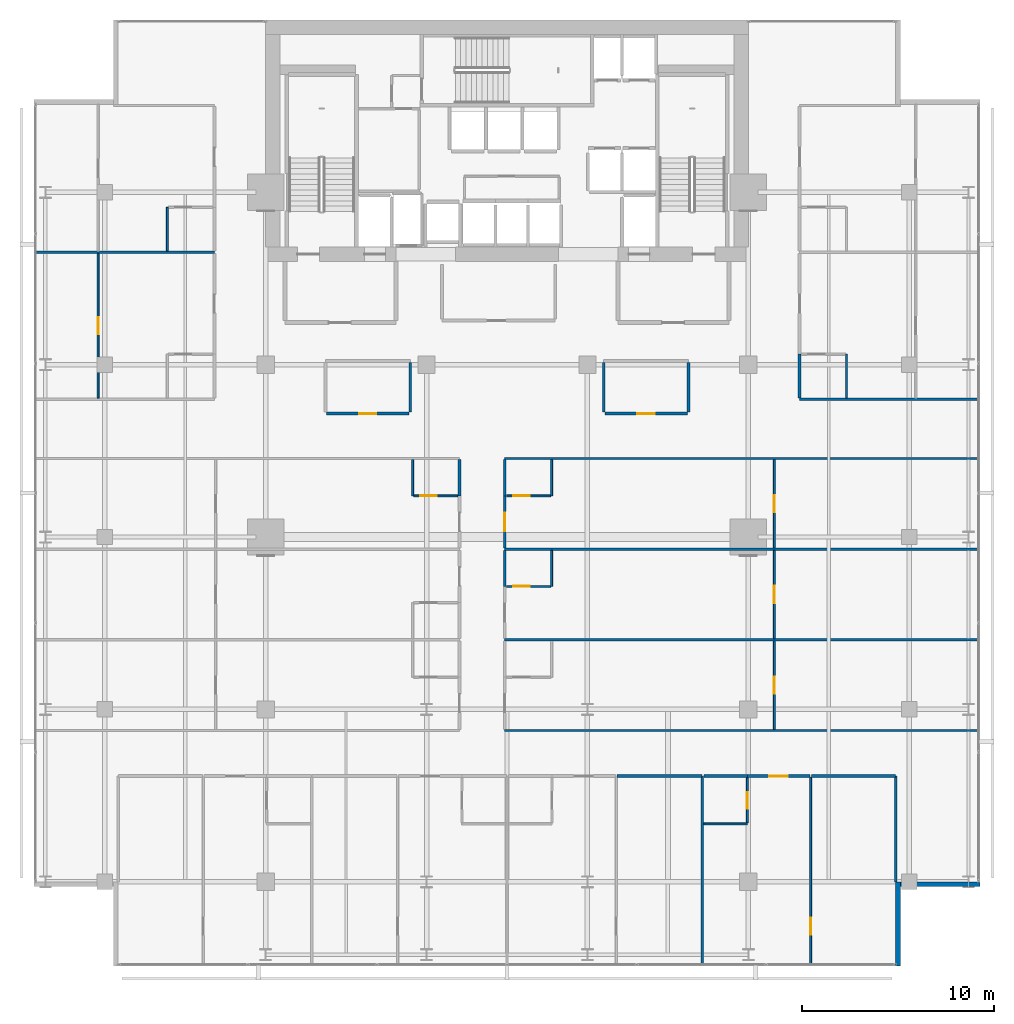
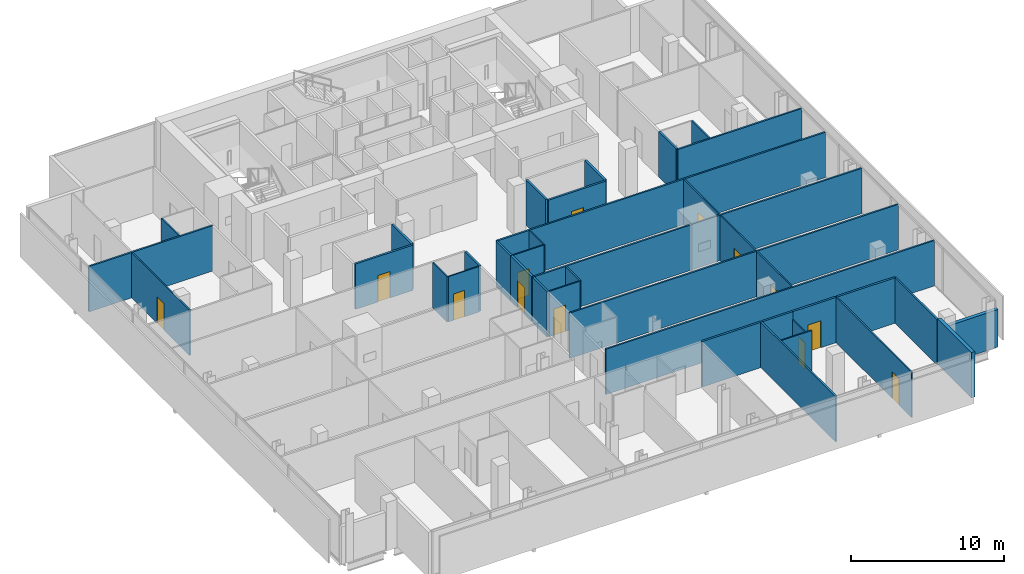
# One storey, part 28 of 33: 39 walls, 13 doors, 13 openings.
"""IFC4 building model written with IfcOpenShell, lengths in metres."""

from ifc_helpers import new_model, si_unit, direction, frame, frame_2d, origin, place, context, subcontext, project, spatial, rectangle, extrude, material, layer, layer_set, type_object, element, fill, save


model = new_model("IFC4")

# Units and contexts
model_context = context("Model", 3, precision=1e-05, world=origin(), true_north=direction((0.0, 1.0)))
body_context = subcontext(model_context, "Body", "Model", "MODEL_VIEW")
ifc_project = project(units=[si_unit("LENGTHUNIT", "METRE"), si_unit("AREAUNIT", "SQUARE_METRE"), si_unit("VOLUMEUNIT", "CUBIC_METRE"), si_unit("PLANEANGLEUNIT", "RADIAN"), si_unit("MASSUNIT", "GRAM", prefix="KILO")], contexts=[model_context])

# Site, building, storey
site_placement = place(None, origin())
site = spatial("IfcSite", under=ifc_project, at=site_placement, CompositionType="ELEMENT")
building_placement = place(site_placement, origin())
building = spatial("IfcBuilding", under=site, at=building_placement, Name="Maruvema Waterfront Hotel and Observation Tower", CompositionType="ELEMENT")
storey_placement = place(building_placement, frame((0.0, 0.0, 138.949951171875)))
storey = spatial("IfcBuildingStorey", under=building, at=storey_placement, Name="L33", CompositionType="ELEMENT", Elevation=138.949951171875)

# Wall
ifc_material_1 = material(Name="Twin-stud acoustic gypsum drywall", Category="gypsum")
ifc_layer_1 = layer(ifc_material_1, 0.14990234375, Name="Acoustic Corridor and Suite Demising Wall 150 mm")
ifc_layer_set_1 = layer_set([ifc_layer_1], Name="Twin-stud acoustic gypsum drywall")
wall_type_1 = type_object("IfcWallType", Name="Acoustic Corridor and Suite Demising Wall 150 mm", PredefinedType="PARTITIONING", material=ifc_layer_set_1)
wall_1_placement = place(storey_placement, frame((32.75, 33.530029296875, 0.0), z_axis=(0.0, 0.0, 1.0), x_axis=(0.0, 1.0, 0.0)))
element("IfcWall", 1, at=wall_1_placement, inside=storey, type_object=wall_type_1, Name="L33 L33-M1 East Wall 023", PredefinedType="PARTITIONING", context=body_context, shape_type="SweptSolid", body=[
    extrude(rectangle(XDim=2.590087890625, YDim=0.14990234375, at=frame_2d((1.294921875, 0.0))), origin(), (0.0, 0.0, 1.0), 3.610107421875),
])

# Wall, opening, door
wall_2_placement = place(storey_placement, frame((28.3798828125, 33.449951171875, 0.0), z_axis=(0.0, 0.0, 1.0), x_axis=(1.0, 0.0, 0.0)))
wall_2 = element("IfcWall", 2, at=wall_2_placement, inside=storey, type_object=wall_type_1, Name="L33 L33-M1 Front 1 024", PredefinedType="PARTITIONING", context=body_context, shape_type="SweptSolid", body=[
    extrude(rectangle(XDim=4.31005859375, YDim=0.14990234375, at=frame_2d((2.155029296875, 0.0))), origin(), (0.0, 0.0, 1.0), 3.610107421875),
])
opening_1_placement = place(wall_2_placement, frame((1.705078125, 0.0, 0.0)))
opening_1 = element("IfcOpeningElement", 3, at=opening_1_placement, cuts=wall_2, Name="Opening DR-090", PredefinedType="OPENING", context=body_context, shape_type="SweptSolid", body=[
    extrude(rectangle(XDim=0.89990234375, YDim=2.10009765625, at=frame_2d((0.449951171875, 1.050048828125))), frame((0.0, 0.0849609375, 0.0), z_axis=(0.0, -1.0, 0.0), x_axis=(1.0, 0.0, 0.0)), (0.0, 0.0, 1.0), 0.169921875),
])
ifc_material_2 = material(Name="Solid-core lacquered timber leaf", Category="wood")
door_type_1 = type_object("IfcDoorType", Name="Accessible Toilet and Room Door 900x2100 mm", OperationType="NOTDEFINED", PredefinedType="DOOR", material=ifc_material_2)
door_1_placement = place(opening_1_placement, frame((0.89990234375, 0.0, 0.0), z_axis=(0.0, 0.0, 1.0), x_axis=(-1.0, 0.0, 0.0)))
door_1 = element("IfcDoor", 4, at=door_1_placement, inside=storey, type_object=door_type_1, Name="L33 Club Meeting Room 1 Door", OperationType="SINGLE_SWING_RIGHT", OverallHeight=2.10009765625, OverallWidth=0.89990234375, PredefinedType="DOOR", context=body_context, shape_type="SweptSolid", body=[
    extrude(rectangle(XDim=0.89990234375, YDim=2.10009765625, at=frame_2d((0.449951171875, 1.050048828125))), frame((0.0, 0.02490234375, 0.0), z_axis=(0.0, -1.0, 0.0), x_axis=(1.0, 0.0, 0.0)), (0.0, 0.0, 1.0), 0.050048828125),
])
fill(opening_1, door_1)

# Walls
for number, where, z_axis, x_axis, name in (
    (5, (42.85009765625, 33.530029296875, 0.0), (0.0, 0.0, 1.0), (0.0, 1.0, 0.0), "L33 L33-M2 West Wall 026"),
    (6, (47.280029296875, 33.530029296875, 0.0), (0.0, 0.0, 1.0), (0.0, 1.0, 0.0), "L33 L33-M2 East Wall 027"),
):
    element("IfcWall", number, at=place(storey_placement, frame(where, z_axis=z_axis, x_axis=x_axis)), inside=storey, type_object=wall_type_1, Name=name, PredefinedType="PARTITIONING", context=body_context, shape_type="SweptSolid", body=[
        extrude(rectangle(XDim=2.590087890625, YDim=0.14990234375, at=frame_2d((1.294921875, 0.0))), origin(), (0.0, 0.0, 1.0), 3.610107421875),
    ])

# Wall, opening, door
wall_3_placement = place(storey_placement, frame((42.909912109375, 33.449951171875, 0.0), z_axis=(0.0, 0.0, 1.0), x_axis=(1.0, 0.0, 0.0)))
wall_3 = element("IfcWall", 7, at=wall_3_placement, inside=storey, type_object=wall_type_1, Name="L33 L33-M2 Front 1 028", PredefinedType="PARTITIONING", context=body_context, shape_type="SweptSolid", body=[
    extrude(rectangle(XDim=4.31005859375, YDim=0.14990234375, at=frame_2d((2.155029296875, 0.0))), origin(), (0.0, 0.0, 1.0), 3.610107421875),
])
opening_2_placement = place(wall_3_placement, frame((1.705078125, 0.0, 0.0)))
opening_2 = element("IfcOpeningElement", 8, at=opening_2_placement, cuts=wall_3, Name="Opening DR-090", PredefinedType="OPENING", context=body_context, shape_type="SweptSolid", body=[
    extrude(rectangle(XDim=0.89990234375, YDim=2.10009765625, at=frame_2d((0.449951171875, 1.050048828125))), frame((0.0, 0.0849609375, 0.0), z_axis=(0.0, -1.0, 0.0), x_axis=(1.0, 0.0, 0.0)), (0.0, 0.0, 1.0), 0.169921875),
])
door_2_placement = place(opening_2_placement, frame((0.89990234375, 0.0, 0.0), z_axis=(0.0, 0.0, 1.0), x_axis=(-1.0, 0.0, 0.0)))
door_2 = element("IfcDoor", 9, at=door_2_placement, inside=storey, type_object=door_type_1, Name="L33 Butler Kitchenette Door", OperationType="SINGLE_SWING_LEFT", OverallHeight=2.10009765625, OverallWidth=0.89990234375, PredefinedType="DOOR", context=body_context, shape_type="SweptSolid", body=[
    extrude(rectangle(XDim=0.89990234375, YDim=2.10009765625, at=frame_2d((0.449951171875, 1.050048828125))), frame((0.0, 0.02490234375, 0.0), z_axis=(0.0, -1.0, 0.0), x_axis=(1.0, 0.0, 0.0)), (0.0, 0.0, 1.0), 0.050048828125),
])
fill(opening_2, door_2)

# Walls
wall_4_placement = place(storey_placement, frame((43.552001953125, 14.52001953125, 0.0), z_axis=(0.0, 0.0, 1.0), x_axis=(1.0, 0.0, 0.0)))
element("IfcWall", 10, at=wall_4_placement, inside=storey, type_object=wall_type_1, Name="L33 Bedroom L33-S3 Back Wall 049", PredefinedType="PARTITIONING", context=body_context, shape_type="SweptSolid", body=[
    extrude(rectangle(XDim=4.427978515625, YDim=0.14990234375, at=frame_2d((2.2138671875, 0.0))), origin(), (0.0, 0.0, 1.0), 3.610107421875),
])
wall_5_placement = place(storey_placement, frame((48.080078125, 14.52001953125, 0.0), z_axis=(0.0, 0.0, 1.0), x_axis=(1.0, 0.0, 0.0)))
element("IfcWall", 11, at=wall_5_placement, inside=storey, type_object=wall_type_1, Name="L33 Bath L33-S4 Back Wall 052", PredefinedType="PARTITIONING", context=body_context, shape_type="SweptSolid", body=[
    extrude(rectangle(XDim=2.27001953125, YDim=0.14990234375, at=frame_2d((1.135009765625, 0.0))), origin(), (0.0, 0.0, 1.0), 3.610107421875),
])

# Wall, opening, door
wall_6_placement = place(storey_placement, frame((50.35009765625, 14.52001953125, 0.0), z_axis=(0.0, 0.0, 1.0), x_axis=(1.0, 0.0, 0.0)))
wall_6 = element("IfcWall", 12, at=wall_6_placement, inside=storey, type_object=wall_type_1, Name="L33 Unit L33-S4 Corridor Wall 055", PredefinedType="PARTITIONING", context=body_context, shape_type="SweptSolid", body=[
    extrude(rectangle(XDim=3.265869140625, YDim=0.14990234375, at=frame_2d((1.6328125, 0.0))), origin(), (0.0, 0.0, 1.0), 3.610107421875),
])
opening_3_placement = place(wall_6_placement, frame((1.157958984375, 0.0, 0.0)))
opening_3 = element("IfcOpeningElement", 13, at=opening_3_placement, cuts=wall_6, Name="Opening DR-095", PredefinedType="OPENING", context=body_context, shape_type="SweptSolid", body=[
    extrude(rectangle(XDim=0.949951171875, YDim=2.14990234375, at=frame_2d((0.47509765625, 1.074951171875))), frame((0.0, 0.0849609375, 0.0), z_axis=(0.0, -1.0, 0.0), x_axis=(1.0, 0.0, 0.0)), (0.0, 0.0, 1.0), 0.169921875),
])
ifc_material_3 = material(Name="Acoustic solid-core hardwood timber leaf", Category="wood")
door_type_2 = type_object("IfcDoorType", Name="Guestroom Entrance Fire Door 950x2150 mm", OperationType="NOTDEFINED", PredefinedType="DOOR", material=ifc_material_3)
door_3_placement = place(opening_3_placement, frame((0.949951171875, 0.0, 0.0), z_axis=(0.0, 0.0, 1.0), x_axis=(-1.0, 0.0, 0.0)))
door_3 = element("IfcDoor", 14, at=door_3_placement, inside=storey, type_object=door_type_2, Name="L33 Unit L33-S4 Entrance Door", OperationType="SINGLE_SWING_RIGHT", OverallHeight=2.14990234375, OverallWidth=0.949951171875, PredefinedType="DOOR", context=body_context, shape_type="SweptSolid", body=[
    extrude(rectangle(XDim=0.949951171875, YDim=2.14990234375, at=frame_2d((0.47509765625, 1.074951171875))), frame((0.0, 0.02490234375, 0.0), z_axis=(0.0, -1.0, 0.0), x_axis=(1.0, 0.0, 0.0)), (0.0, 0.0, 1.0), 0.050048828125),
])
fill(opening_3, door_3)

# Walls
wall_7_placement = place(storey_placement, frame((53.696044921875, 14.52001953125, 0.0), z_axis=(0.0, 0.0, 1.0), x_axis=(1.0, 0.0, 0.0)))
element("IfcWall", 15, at=wall_7_placement, inside=storey, type_object=wall_type_1, Name="L33 Bedroom L33-S4 Back Wall 056", PredefinedType="PARTITIONING", context=body_context, shape_type="SweptSolid", body=[
    extrude(rectangle(XDim=4.384033203125, YDim=0.14990234375, at=frame_2d((2.19189453125, 0.0))), origin(), (0.0, 0.0, 1.0), 3.610107421875),
])
for number, where, z_axis, x_axis, name in (
    (16, (37.679931640625, 24.419921875, 0.0), (0.0, 0.0, 1.0), (0.0, 1.0, 0.0), "L33 Bath L33-E2 Wall 080"),
    (17, (35.320068359375, 29.14990234375, 0.0), (0.0, 0.0, 1.0), (0.0, 1.0, 0.0), "L33 Bath L33-W3 Wall 087"),
):
    element("IfcWall", number, at=place(storey_placement, frame(where, z_axis=z_axis, x_axis=x_axis)), inside=storey, type_object=wall_type_1, Name=name, PredefinedType="PARTITIONING", context=body_context, shape_type="SweptSolid", body=[
        extrude(rectangle(XDim=1.89013671875, YDim=0.14990234375, at=frame_2d((0.945068359375, 0.0))), origin(), (0.0, 0.0, 1.0), 3.610107421875),
    ])

# Wall, opening, door
wall_8_placement = place(storey_placement, frame((37.679931640625, 26.429931640625, 0.0), z_axis=(0.0, 0.0, 1.0), x_axis=(0.0, 1.0, 0.0)))
wall_8 = element("IfcWall", 18, at=wall_8_placement, inside=storey, type_object=wall_type_1, Name="L33 Room L33-E3 Corridor Wall 091", PredefinedType="PARTITIONING", context=body_context, shape_type="SweptSolid", body=[
    extrude(rectangle(XDim=2.719970703125, YDim=0.14990234375, at=frame_2d((1.35986328125, 0.0))), origin(), (0.0, 0.0, 1.0), 3.610107421875),
])
opening_4_placement = place(wall_8_placement, frame((0.885009765625, 0.0, 0.0)))
opening_4 = element("IfcOpeningElement", 19, at=opening_4_placement, cuts=wall_8, Name="Opening DR-095", PredefinedType="OPENING", context=body_context, shape_type="SweptSolid", body=[
    extrude(rectangle(XDim=0.949951171875, YDim=2.14990234375, at=frame_2d((0.47509765625, 1.074951171875))), frame((0.0, 0.0849609375, 0.0), z_axis=(0.0, -1.0, 0.0), x_axis=(1.0, 0.0, 0.0)), (0.0, 0.0, 1.0), 0.169921875),
])
door_4_placement = place(opening_4_placement, frame((0.949951171875, 0.0, 0.0), z_axis=(0.0, 0.0, 1.0), x_axis=(-1.0, 0.0, 0.0)))
door_4 = element("IfcDoor", 20, at=door_4_placement, inside=storey, type_object=door_type_2, Name="L33 Room L33-E3 Entrance Door", OperationType="SINGLE_SWING_RIGHT", OverallHeight=2.14990234375, OverallWidth=0.949951171875, PredefinedType="DOOR", context=body_context, shape_type="SweptSolid", body=[
    extrude(rectangle(XDim=0.949951171875, YDim=2.14990234375, at=frame_2d((0.47509765625, 1.074951171875))), frame((0.0, 0.02490234375, 0.0), z_axis=(0.0, -1.0, 0.0), x_axis=(1.0, 0.0, 0.0)), (0.0, 0.0, 1.0), 0.050048828125),
])
fill(opening_4, door_4)

# Walls
wall_9_placement = place(storey_placement, frame((37.679931640625, 29.14990234375, 0.0), z_axis=(0.0, 0.0, 1.0), x_axis=(0.0, 1.0, 0.0)))
element("IfcWall", 21, at=wall_9_placement, inside=storey, type_object=wall_type_1, Name="L33 Bath L33-E3 Wall 092", PredefinedType="PARTITIONING", context=body_context, shape_type="SweptSolid", body=[
    extrude(rectangle(XDim=1.89013671875, YDim=0.14990234375, at=frame_2d((0.945068359375, 0.0))), origin(), (0.0, 0.0, 1.0), 3.610107421875),
])
wall_10_placement = place(storey_placement, frame((53.080078125, 34.260009765625, 0.0), z_axis=(0.0, 0.0, 1.0), x_axis=(0.0, 1.0, 0.0)))
element("IfcWall", 22, at=wall_10_placement, inside=storey, type_object=wall_type_1, Name="L33 Bath L33-NE1 Wall 105", PredefinedType="PARTITIONING", context=body_context, shape_type="SweptSolid", body=[
    extrude(rectangle(XDim=2.2900390625, YDim=0.14990234375, at=frame_2d((1.14501953125, 0.0))), origin(), (0.0, 0.0, 1.0), 3.610107421875),
])
ifc_material_4 = material(Name="Moisture-resistant cement-board drywall", Category="gypsum")
ifc_layer_2 = layer(ifc_material_4, 0.10009765625, Name="En-Suite Moisture-Resistant Partition 100 mm")
ifc_layer_set_2 = layer_set([ifc_layer_2], Name="Moisture-resistant cement-board drywall")
wall_type_2 = type_object("IfcWallType", Name="En-Suite Moisture-Resistant Partition 100 mm", PredefinedType="PARTITIONING", material=ifc_layer_set_2)
wall_11_placement = place(storey_placement, frame((48.080078125, 12.02001953125, 0.0), z_axis=(0.0, 0.0, 1.0), x_axis=(1.0, 0.0, 0.0)))
element("IfcWall", 23, at=wall_11_placement, inside=storey, type_object=wall_type_2, Name="L33 En-Suite L33-S4 South 053", PredefinedType="PARTITIONING", context=body_context, shape_type="SweptSolid", body=[
    extrude(rectangle(XDim=2.27001953125, YDim=0.10009765625, at=frame_2d((1.135009765625, 0.0))), origin(), (0.0, 0.0, 1.0), 3.610107421875),
])

# Wall, opening, door
wall_12_placement = place(storey_placement, frame((50.35009765625, 12.080078125, 0.0), z_axis=(0.0, 0.0, 1.0), x_axis=(0.0, 1.0, 0.0)))
wall_12 = element("IfcWall", 24, at=wall_12_placement, inside=storey, type_object=wall_type_2, Name="L33 En-Suite L33-S4 East 054", PredefinedType="PARTITIONING", context=body_context, shape_type="SweptSolid", body=[
    extrude(rectangle(XDim=2.33984375, YDim=0.10009765625, at=frame_2d((1.169921875, 0.0))), origin(), (0.0, 0.0, 1.0), 2.998046875),
])
opening_5_placement = place(wall_12_placement, frame((0.7451171875, 0.0, 0.0)))
opening_5 = element("IfcOpeningElement", 25, at=opening_5_placement, cuts=wall_12, Name="Opening DR-085", PredefinedType="OPENING", context=body_context, shape_type="SweptSolid", body=[
    extrude(rectangle(XDim=0.85009765625, YDim=2.10009765625, at=frame_2d((0.425048828125, 1.050048828125))), frame((0.0, 0.06005859375, 0.0), z_axis=(0.0, -1.0, 0.0), x_axis=(1.0, 0.0, 0.0)), (0.0, 0.0, 1.0), 0.1201171875),
])
ifc_material_5 = material(Name="Moisture-resistant solid timber leaf", Category="wood")
door_type_3 = type_object("IfcDoorType", Name="En-Suite Bathroom Door 850x2100 mm", OperationType="NOTDEFINED", PredefinedType="DOOR", material=ifc_material_5)
door_5_placement = place(opening_5_placement, frame((0.85009765625, 0.0, 0.0), z_axis=(0.0, 0.0, 1.0), x_axis=(-1.0, 0.0, 0.0)))
door_5 = element("IfcDoor", 26, at=door_5_placement, inside=storey, type_object=door_type_3, Name="L33 En-Suite L33-S4 Door", OperationType="SINGLE_SWING_LEFT", OverallHeight=2.10009765625, OverallWidth=0.85009765625, PredefinedType="DOOR", context=body_context, shape_type="SweptSolid", body=[
    extrude(rectangle(XDim=0.85009765625, YDim=2.10009765625, at=frame_2d((0.425048828125, 1.050048828125))), frame((0.0, 0.02490234375, 0.0), z_axis=(0.0, -1.0, 0.0), x_axis=(1.0, 0.0, 0.0)), (0.0, 0.0, 1.0), 0.050048828125),
])
fill(opening_5, door_5)

wall_13_placement = place(storey_placement, frame((53.656005859375, 4.6298828125, 0.0), z_axis=(0.0, 0.0, 1.0), x_axis=(0.0, 1.0, 0.0)))
wall_13 = element("IfcWall", 27, at=wall_13_placement, inside=storey, type_object=wall_type_2, Name="L33 Suite L33-S4 Split 057", PredefinedType="PARTITIONING", context=body_context, shape_type="SweptSolid", body=[
    extrude(rectangle(XDim=9.830078125, YDim=0.10009765625, at=frame_2d((4.9150390625, 0.0))), origin(), (0.0, 0.0, 1.0), 3.610107421875),
])
opening_6_placement = place(wall_13_placement, frame((1.60009765625, 0.0, 0.0)))
opening_6 = element("IfcOpeningElement", 28, at=opening_6_placement, cuts=wall_13, Name="Opening DR-090", PredefinedType="OPENING", context=body_context, shape_type="SweptSolid", body=[
    extrude(rectangle(XDim=0.89990234375, YDim=2.10009765625, at=frame_2d((0.449951171875, 1.050048828125))), frame((0.0, 0.06005859375, 0.0), z_axis=(0.0, -1.0, 0.0), x_axis=(1.0, 0.0, 0.0)), (0.0, 0.0, 1.0), 0.1201171875),
])
door_6_placement = place(opening_6_placement, origin())
door_6 = element("IfcDoor", 29, at=door_6_placement, inside=storey, type_object=door_type_1, Name="L33 Suite L33-S4 Bedroom Door", OperationType="SINGLE_SWING_LEFT", OverallHeight=2.10009765625, OverallWidth=0.89990234375, PredefinedType="DOOR", context=body_context, shape_type="SweptSolid", body=[
    extrude(rectangle(XDim=0.89990234375, YDim=2.10009765625, at=frame_2d((0.449951171875, 1.050048828125))), frame((0.0, 0.02490234375, 0.0), z_axis=(0.0, -1.0, 0.0), x_axis=(1.0, 0.0, 0.0)), (0.0, 0.0, 1.0), 0.050048828125),
])
fill(opening_6, door_6)

wall_14_placement = place(storey_placement, frame((51.762451171875, 16.9599609375, 0.0), z_axis=(0.0, 0.0, 1.0), x_axis=(0.0, 1.0, 0.0)))
wall_14 = element("IfcWall", 30, at=wall_14_placement, inside=storey, type_object=wall_type_2, Name="L33 Suite L33-E1 Split 071", PredefinedType="PARTITIONING", context=body_context, shape_type="SweptSolid", body=[
    extrude(rectangle(XDim=4.610107421875, YDim=0.10009765625, at=frame_2d((2.30517578125, 0.0))), origin(), (0.0, 0.0, 1.0), 3.610107421875),
])
opening_7_placement = place(wall_14_placement, frame((1.85498046875, 0.0, 0.0)))
opening_7 = element("IfcOpeningElement", 31, at=opening_7_placement, cuts=wall_14, Name="Opening DR-090", PredefinedType="OPENING", context=body_context, shape_type="SweptSolid", body=[
    extrude(rectangle(XDim=0.89990234375, YDim=2.10009765625, at=frame_2d((0.449951171875, 1.050048828125))), frame((0.0, 0.06005859375, 0.0), z_axis=(0.0, -1.0, 0.0), x_axis=(1.0, 0.0, 0.0)), (0.0, 0.0, 1.0), 0.1201171875),
])
door_7_placement = place(opening_7_placement, frame((0.89990234375, 0.0, 0.0), z_axis=(0.0, 0.0, 1.0), x_axis=(-1.0, 0.0, 0.0)))
door_7 = element("IfcDoor", 32, at=door_7_placement, inside=storey, type_object=door_type_1, Name="L33 Suite L33-E1 Bedroom Door", OperationType="SINGLE_SWING_LEFT", OverallHeight=2.10009765625, OverallWidth=0.89990234375, PredefinedType="DOOR", context=body_context, shape_type="SweptSolid", body=[
    extrude(rectangle(XDim=0.89990234375, YDim=2.10009765625, at=frame_2d((0.449951171875, 1.050048828125))), frame((0.0, 0.02490234375, 0.0), z_axis=(0.0, -1.0, 0.0), x_axis=(1.0, 0.0, 0.0)), (0.0, 0.0, 1.0), 0.050048828125),
])
fill(opening_7, door_7)

# Wall
wall_15_placement = place(storey_placement, frame((40.1298828125, 24.419921875, 0.0), z_axis=(0.0, 0.0, 1.0), x_axis=(0.0, 1.0, 0.0)))
element("IfcWall", 33, at=wall_15_placement, inside=storey, type_object=wall_type_2, Name="L33 En-Suite L33-E2 E 081", PredefinedType="PARTITIONING", context=body_context, shape_type="SweptSolid", body=[
    extrude(rectangle(XDim=1.89013671875, YDim=0.10009765625, at=frame_2d((0.945068359375, 0.0))), origin(), (0.0, 0.0, 1.0), 3.610107421875),
])

# Wall, opening, door
wall_16_placement = place(storey_placement, frame((37.780029296875, 24.419921875, 0.0), z_axis=(0.0, 0.0, 1.0), x_axis=(1.0, 0.0, 0.0)))
wall_16 = element("IfcWall", 34, at=wall_16_placement, inside=storey, type_object=wall_type_2, Name="L33 En-Suite L33-E2 S 082", PredefinedType="PARTITIONING", context=body_context, shape_type="SweptSolid", body=[
    extrude(rectangle(XDim=2.300048828125, YDim=0.10009765625, at=frame_2d((1.14990234375, 0.0))), origin(), (0.0, 0.0, 1.0), 3.610107421875),
])
opening_8_placement = place(wall_16_placement, frame((0.35009765625, 0.0, 0.0)))
opening_8 = element("IfcOpeningElement", 35, at=opening_8_placement, cuts=wall_16, Name="Opening DR-085", PredefinedType="OPENING", context=body_context, shape_type="SweptSolid", body=[
    extrude(rectangle(XDim=0.85009765625, YDim=2.10009765625, at=frame_2d((0.425048828125, 1.050048828125))), frame((0.0, 0.06005859375, 0.0), z_axis=(0.0, -1.0, 0.0), x_axis=(1.0, 0.0, 0.0)), (0.0, 0.0, 1.0), 0.1201171875),
])
door_8_placement = place(opening_8_placement, frame((0.85009765625, 0.0, 0.0), z_axis=(0.0, 0.0, 1.0), x_axis=(-1.0, 0.0, 0.0)))
door_8 = element("IfcDoor", 36, at=door_8_placement, inside=storey, type_object=door_type_3, Name="L33 En-Suite L33-E2 Door", OperationType="SINGLE_SWING_LEFT", OverallHeight=2.10009765625, OverallWidth=0.85009765625, PredefinedType="DOOR", context=body_context, shape_type="SweptSolid", body=[
    extrude(rectangle(XDim=0.85009765625, YDim=2.10009765625, at=frame_2d((0.425048828125, 1.050048828125))), frame((0.0, 0.02490234375, 0.0), z_axis=(0.0, -1.0, 0.0), x_axis=(1.0, 0.0, 0.0)), (0.0, 0.0, 1.0), 0.050048828125),
])
fill(opening_8, door_8)

wall_17_placement = place(storey_placement, frame((51.762451171875, 21.68994140625, 0.0), z_axis=(0.0, 0.0, 1.0), x_axis=(0.0, 1.0, 0.0)))
wall_17 = element("IfcWall", 37, at=wall_17_placement, inside=storey, type_object=wall_type_2, Name="L33 Suite L33-E2 Split 083", PredefinedType="PARTITIONING", context=body_context, shape_type="SweptSolid", body=[
    extrude(rectangle(XDim=4.6201171875, YDim=0.10009765625, at=frame_2d((2.31005859375, 0.0))), origin(), (0.0, 0.0, 1.0), 3.610107421875),
])
opening_9_placement = place(wall_17_placement, frame((1.860107421875, 0.0, 0.0)))
opening_9 = element("IfcOpeningElement", 38, at=opening_9_placement, cuts=wall_17, Name="Opening DR-090", PredefinedType="OPENING", context=body_context, shape_type="SweptSolid", body=[
    extrude(rectangle(XDim=0.89990234375, YDim=2.10009765625, at=frame_2d((0.449951171875, 1.050048828125))), frame((0.0, 0.06005859375, 0.0), z_axis=(0.0, -1.0, 0.0), x_axis=(1.0, 0.0, 0.0)), (0.0, 0.0, 1.0), 0.1201171875),
])
door_9_placement = place(opening_9_placement, frame((0.89990234375, 0.0, 0.0), z_axis=(0.0, 0.0, 1.0), x_axis=(-1.0, 0.0, 0.0)))
door_9 = element("IfcDoor", 39, at=door_9_placement, inside=storey, type_object=door_type_1, Name="L33 Suite L33-E2 Bedroom Door", OperationType="SINGLE_SWING_LEFT", OverallHeight=2.10009765625, OverallWidth=0.89990234375, PredefinedType="DOOR", context=body_context, shape_type="SweptSolid", body=[
    extrude(rectangle(XDim=0.89990234375, YDim=2.10009765625, at=frame_2d((0.449951171875, 1.050048828125))), frame((0.0, 0.02490234375, 0.0), z_axis=(0.0, -1.0, 0.0), x_axis=(1.0, 0.0, 0.0)), (0.0, 0.0, 1.0), 0.050048828125),
])
fill(opening_9, door_9)

# Wall
wall_18_placement = place(storey_placement, frame((32.8701171875, 29.14990234375, 0.0), z_axis=(0.0, 0.0, 1.0), x_axis=(0.0, 1.0, 0.0)))
element("IfcWall", 40, at=wall_18_placement, inside=storey, type_object=wall_type_2, Name="L33 En-Suite L33-W3 W 088", PredefinedType="PARTITIONING", context=body_context, shape_type="SweptSolid", body=[
    extrude(rectangle(XDim=1.89013671875, YDim=0.10009765625, at=frame_2d((0.945068359375, 0.0))), origin(), (0.0, 0.0, 1.0), 3.610107421875),
])

# Wall, opening, door
wall_19_placement = place(storey_placement, frame((32.919921875, 29.14990234375, 0.0), z_axis=(0.0, 0.0, 1.0), x_axis=(1.0, 0.0, 0.0)))
wall_19 = element("IfcWall", 41, at=wall_19_placement, inside=storey, type_object=wall_type_2, Name="L33 En-Suite L33-W3 S 089", PredefinedType="PARTITIONING", context=body_context, shape_type="SweptSolid", body=[
    extrude(rectangle(XDim=2.300048828125, YDim=0.10009765625, at=frame_2d((1.14990234375, 0.0))), origin(), (0.0, 0.0, 1.0), 3.610107421875),
])
opening_10_placement = place(wall_19_placement, frame((0.35009765625, 0.0, 0.0)))
opening_10 = element("IfcOpeningElement", 42, at=opening_10_placement, cuts=wall_19, Name="Opening DR-085", PredefinedType="OPENING", context=body_context, shape_type="SweptSolid", body=[
    extrude(rectangle(XDim=0.85009765625, YDim=2.10009765625, at=frame_2d((0.425048828125, 1.050048828125))), frame((0.0, 0.06005859375, 0.0), z_axis=(0.0, -1.0, 0.0), x_axis=(1.0, 0.0, 0.0)), (0.0, 0.0, 1.0), 0.1201171875),
])
door_10_placement = place(opening_10_placement, frame((0.85009765625, 0.0, 0.0), z_axis=(0.0, 0.0, 1.0), x_axis=(-1.0, 0.0, 0.0)))
door_10 = element("IfcDoor", 43, at=door_10_placement, inside=storey, type_object=door_type_3, Name="L33 En-Suite L33-W3 Door", OperationType="SINGLE_SWING_RIGHT", OverallHeight=2.10009765625, OverallWidth=0.85009765625, PredefinedType="DOOR", context=body_context, shape_type="SweptSolid", body=[
    extrude(rectangle(XDim=0.85009765625, YDim=2.10009765625, at=frame_2d((0.425048828125, 1.050048828125))), frame((0.0, 0.02490234375, 0.0), z_axis=(0.0, -1.0, 0.0), x_axis=(1.0, 0.0, 0.0)), (0.0, 0.0, 1.0), 0.050048828125),
])
fill(opening_10, door_10)

# Wall
wall_20_placement = place(storey_placement, frame((40.1298828125, 29.14990234375, 0.0), z_axis=(0.0, 0.0, 1.0), x_axis=(0.0, 1.0, 0.0)))
element("IfcWall", 44, at=wall_20_placement, inside=storey, type_object=wall_type_2, Name="L33 En-Suite L33-E3 E 093", PredefinedType="PARTITIONING", context=body_context, shape_type="SweptSolid", body=[
    extrude(rectangle(XDim=1.89013671875, YDim=0.10009765625, at=frame_2d((0.945068359375, 0.0))), origin(), (0.0, 0.0, 1.0), 3.610107421875),
])

# Wall, opening, door
wall_21_placement = place(storey_placement, frame((37.780029296875, 29.14990234375, 0.0), z_axis=(0.0, 0.0, 1.0), x_axis=(1.0, 0.0, 0.0)))
wall_21 = element("IfcWall", 45, at=wall_21_placement, inside=storey, type_object=wall_type_2, Name="L33 En-Suite L33-E3 S 094", PredefinedType="PARTITIONING", context=body_context, shape_type="SweptSolid", body=[
    extrude(rectangle(XDim=2.300048828125, YDim=0.10009765625, at=frame_2d((1.14990234375, 0.0))), origin(), (0.0, 0.0, 1.0), 3.610107421875),
])
opening_11_placement = place(wall_21_placement, frame((0.35009765625, 0.0, 0.0)))
opening_11 = element("IfcOpeningElement", 46, at=opening_11_placement, cuts=wall_21, Name="Opening DR-085", PredefinedType="OPENING", context=body_context, shape_type="SweptSolid", body=[
    extrude(rectangle(XDim=0.85009765625, YDim=2.10009765625, at=frame_2d((0.425048828125, 1.050048828125))), frame((0.0, 0.06005859375, 0.0), z_axis=(0.0, -1.0, 0.0), x_axis=(1.0, 0.0, 0.0)), (0.0, 0.0, 1.0), 0.1201171875),
])
door_11_placement = place(opening_11_placement, frame((0.85009765625, 0.0, 0.0), z_axis=(0.0, 0.0, 1.0), x_axis=(-1.0, 0.0, 0.0)))
door_11 = element("IfcDoor", 47, at=door_11_placement, inside=storey, type_object=door_type_3, Name="L33 En-Suite L33-E3 Door", OperationType="SINGLE_SWING_LEFT", OverallHeight=2.10009765625, OverallWidth=0.85009765625, PredefinedType="DOOR", context=body_context, shape_type="SweptSolid", body=[
    extrude(rectangle(XDim=0.85009765625, YDim=2.10009765625, at=frame_2d((0.425048828125, 1.050048828125))), frame((0.0, 0.02490234375, 0.0), z_axis=(0.0, -1.0, 0.0), x_axis=(1.0, 0.0, 0.0)), (0.0, 0.0, 1.0), 0.050048828125),
])
fill(opening_11, door_11)

wall_22_placement = place(storey_placement, frame((51.762451171875, 26.429931640625, 0.0), z_axis=(0.0, 0.0, 1.0), x_axis=(0.0, 1.0, 0.0)))
wall_22 = element("IfcWall", 48, at=wall_22_placement, inside=storey, type_object=wall_type_2, Name="L33 Suite L33-E3 Split 095", PredefinedType="PARTITIONING", context=body_context, shape_type="SweptSolid", body=[
    extrude(rectangle(XDim=4.610107421875, YDim=0.10009765625, at=frame_2d((2.30517578125, 0.0))), origin(), (0.0, 0.0, 1.0), 3.610107421875),
])
opening_12_placement = place(wall_22_placement, frame((1.85498046875, 0.0, 0.0)))
opening_12 = element("IfcOpeningElement", 49, at=opening_12_placement, cuts=wall_22, Name="Opening DR-090", PredefinedType="OPENING", context=body_context, shape_type="SweptSolid", body=[
    extrude(rectangle(XDim=0.89990234375, YDim=2.10009765625, at=frame_2d((0.449951171875, 1.050048828125))), frame((0.0, 0.06005859375, 0.0), z_axis=(0.0, -1.0, 0.0), x_axis=(1.0, 0.0, 0.0)), (0.0, 0.0, 1.0), 0.1201171875),
])
door_12_placement = place(opening_12_placement, frame((0.89990234375, 0.0, 0.0), z_axis=(0.0, 0.0, 1.0), x_axis=(-1.0, 0.0, 0.0)))
door_12 = element("IfcDoor", 50, at=door_12_placement, inside=storey, type_object=door_type_1, Name="L33 Suite L33-E3 Bedroom Door", OperationType="SINGLE_SWING_LEFT", OverallHeight=2.10009765625, OverallWidth=0.89990234375, PredefinedType="DOOR", context=body_context, shape_type="SweptSolid", body=[
    extrude(rectangle(XDim=0.89990234375, YDim=2.10009765625, at=frame_2d((0.449951171875, 1.050048828125))), frame((0.0, 0.02490234375, 0.0), z_axis=(0.0, -1.0, 0.0), x_axis=(1.0, 0.0, 0.0)), (0.0, 0.0, 1.0), 0.050048828125),
])
fill(opening_12, door_12)

wall_23_placement = place(storey_placement, frame((16.445556640625, 34.260009765625, 0.0), z_axis=(0.0, 0.0, 1.0), x_axis=(0.0, 1.0, 0.0)))
wall_23 = element("IfcWall", 51, at=wall_23_placement, inside=storey, type_object=wall_type_2, Name="L33 Suite L33-NW1 Split 104", PredefinedType="PARTITIONING", context=body_context, shape_type="SweptSolid", body=[
    extrude(rectangle(XDim=7.548828125, YDim=0.10009765625, at=frame_2d((3.7744140625, 0.0))), origin(), (0.0, 0.0, 1.0), 3.610107421875),
])
opening_13_placement = place(wall_23_placement, frame((3.324462890625, 0.0, 0.0)))
opening_13 = element("IfcOpeningElement", 52, at=opening_13_placement, cuts=wall_23, Name="Opening DR-090", PredefinedType="OPENING", context=body_context, shape_type="SweptSolid", body=[
    extrude(rectangle(XDim=0.89990234375, YDim=2.10009765625, at=frame_2d((0.449951171875, 1.050048828125))), frame((0.0, 0.06005859375, 0.0), z_axis=(0.0, -1.0, 0.0), x_axis=(1.0, 0.0, 0.0)), (0.0, 0.0, 1.0), 0.1201171875),
])
door_13_placement = place(opening_13_placement, origin())
door_13 = element("IfcDoor", 53, at=door_13_placement, inside=storey, type_object=door_type_1, Name="L33 Suite L33-NW1 Bedroom Door", OperationType="SINGLE_SWING_RIGHT", OverallHeight=2.10009765625, OverallWidth=0.89990234375, PredefinedType="DOOR", context=body_context, shape_type="SweptSolid", body=[
    extrude(rectangle(XDim=0.89990234375, YDim=2.10009765625, at=frame_2d((0.449951171875, 1.050048828125))), frame((0.0, 0.02490234375, 0.0), z_axis=(0.0, -1.0, 0.0), x_axis=(1.0, 0.0, 0.0)), (0.0, 0.0, 1.0), 0.050048828125),
])
fill(opening_13, door_13)

# Walls
for number, where, z_axis, x_axis, name in (
    (54, (55.530029296875, 34.260009765625, 0.0), (0.0, 0.0, 1.0), (0.0, 1.0, 0.0), "L33 En-Suite L33-NE1 E 107"),
    (55, (20.070068359375, 41.9287109375, 0.0), (0.0, 0.0, 1.0), (0.0, 1.0, 0.0), "L33 En-Suite L33-NW2 W 114"),
):
    element("IfcWall", number, at=place(storey_placement, frame(where, z_axis=z_axis, x_axis=x_axis)), inside=storey, type_object=wall_type_2, Name=name, PredefinedType="PARTITIONING", context=body_context, shape_type="SweptSolid", body=[
        extrude(rectangle(XDim=2.2900390625, YDim=0.10009765625, at=frame_2d((1.14501953125, 0.0))), origin(), (0.0, 0.0, 1.0), 3.610107421875),
    ])
ifc_material_6 = material(Name="Precast concrete C45/55 with honed Pernambuco granite facing", Category="masonry")
ifc_layer_3 = layer(ifc_material_6, 0.260009765625, Name="Exterior Granite Clad Spandrel and Pier Wall 260 mm")
ifc_layer_set_3 = layer_set([ifc_layer_3], Name="Precast concrete C45/55 with honed Pernambuco granite facing")
wall_type_3 = type_object("IfcWallType", Name="Exterior Granite Clad Spandrel and Pier Wall 260 mm", PredefinedType="SOLIDWALL", material=ifc_layer_set_3)
wall_24_placement = place(storey_placement, frame((58.22998046875, 9.0, 0.0), z_axis=(0.0, 0.0, 1.0), x_axis=(0.0, -1.0, 0.0)))
element("IfcWall", 56, at=wall_24_placement, inside=storey, type_object=wall_type_3, Name="L33 Corner Notch Granite Pier Wall SE1", PredefinedType="SOLIDWALL", context=body_context, shape_type="SweptSolid", body=[
    extrude(rectangle(XDim=4.39990234375, YDim=0.260009765625, at=frame_2d((2.199951171875, 0.0))), origin(), (0.0, 0.0, 1.0), 3.610107421875),
])
wall_25_placement = place(storey_placement, frame((62.5, 8.8701171875, 0.0), z_axis=(0.0, 0.0, 1.0), x_axis=(-1.0, 0.0, 0.0)))
element("IfcWall", 57, at=wall_25_placement, inside=storey, type_object=wall_type_3, Name="L33 Corner Notch Granite Pier Wall SE2", PredefinedType="SOLIDWALL", context=body_context, shape_type="SweptSolid", body=[
    extrude(rectangle(XDim=4.39990234375, YDim=0.260009765625, at=frame_2d((2.199951171875, 0.0))), origin(), (0.0, 0.0, 1.0), 2.998046875),
])
ifc_material_7 = material(Name="Acoustic gypsum plasterboard drywall", Category="gypsum")
ifc_layer_4 = layer(ifc_material_7, 0.125, Name="Guestroom Acoustic Demising Wall 125 mm")
ifc_layer_set_4 = layer_set([ifc_layer_4], Name="Acoustic gypsum plasterboard drywall")
wall_type_4 = type_object("IfcWallType", Name="Guestroom Acoustic Demising Wall 125 mm", PredefinedType="PARTITIONING", material=ifc_layer_set_4)
wall_26_placement = place(storey_placement, frame((58.10009765625, 9.0, 0.0), z_axis=(0.0, 0.0, 1.0), x_axis=(0.0, 1.0, 0.0)))
element("IfcWall", 58, at=wall_26_placement, inside=storey, type_object=wall_type_4, Name="L33 Z2 S East End 030", PredefinedType="PARTITIONING", context=body_context, shape_type="SweptSolid", body=[
    extrude(rectangle(XDim=5.52001953125, YDim=0.125, at=frame_2d((2.760009765625, 0.0))), origin(), (0.0, 0.0, 1.0), 3.610107421875),
])
wall_27_placement = place(storey_placement, frame((48.0, 4.699951171875, 0.0), z_axis=(0.0, 0.0, 1.0), x_axis=(0.0, 1.0, 0.0)))
element("IfcWall", 59, at=wall_27_placement, inside=storey, type_object=wall_type_4, Name="L33 Z2 S Demising 4 051", PredefinedType="PARTITIONING", context=body_context, shape_type="SweptSolid", body=[
    extrude(rectangle(XDim=9.820068359375, YDim=0.125, at=frame_2d((4.91015625, 0.0))), origin(), (0.0, 0.0, 1.0), 3.610107421875),
])
for number, where, z_axis, x_axis, name in (
    (60, (37.679931640625, 16.89990234375, 0.0), (0.0, 0.0, 1.0), (1.0, 0.0, 0.0), "L33 Z2 E Bot End 059"),
    (61, (37.679931640625, 31.10009765625, 0.0), (0.0, 0.0, 1.0), (1.0, 0.0, 0.0), "L33 Z2 E Top End 061"),
    (62, (37.679931640625, 21.6298828125, 0.0), (0.0, 0.0, 1.0), (1.0, 0.0, 0.0), "L33 Z2 E Demising 2 073"),
    (63, (37.679931640625, 26.3701171875, 0.0), (0.0, 0.0, 1.0), (1.0, 0.0, 0.0), "L33 Z2 E Demising 3 085"),
):
    element("IfcWall", number, at=place(storey_placement, frame(where, z_axis=z_axis, x_axis=x_axis)), inside=storey, type_object=wall_type_4, Name=name, PredefinedType="PARTITIONING", context=body_context, shape_type="SweptSolid", body=[
        extrude(rectangle(XDim=24.719970703125, YDim=0.125, at=frame_2d((12.35986328125, 0.0))), origin(), (0.0, 0.0, 1.0), 3.610107421875),
    ])
wall_28_placement = place(storey_placement, frame((53.080078125, 34.199951171875, 0.0), z_axis=(0.0, 0.0, 1.0), x_axis=(1.0, 0.0, 0.0)))
element("IfcWall", 64, at=wall_28_placement, inside=storey, type_object=wall_type_4, Name="L33 Z2 NE Bot End 097", PredefinedType="PARTITIONING", context=body_context, shape_type="SweptSolid", body=[
    extrude(rectangle(XDim=9.31982421875, YDim=0.125, at=frame_2d((4.659912109375, 0.0))), origin(), (0.0, 0.0, 1.0), 3.610107421875),
])
wall_29_placement = place(storey_placement, frame((13.199951171875, 41.868896484375, 0.0), z_axis=(0.0, 0.0, 1.0), x_axis=(1.0, 0.0, 0.0)))
element("IfcWall", 65, at=wall_29_placement, inside=storey, type_object=wall_type_4, Name="L33 Z2 NW Demising 2 110", PredefinedType="PARTITIONING", context=body_context, shape_type="SweptSolid", body=[
    extrude(rectangle(XDim=9.320068359375, YDim=0.125, at=frame_2d((4.66015625, 0.0))), origin(), (0.0, 0.0, 1.0), 3.610107421875),
])

save(model, "model.ifc")
